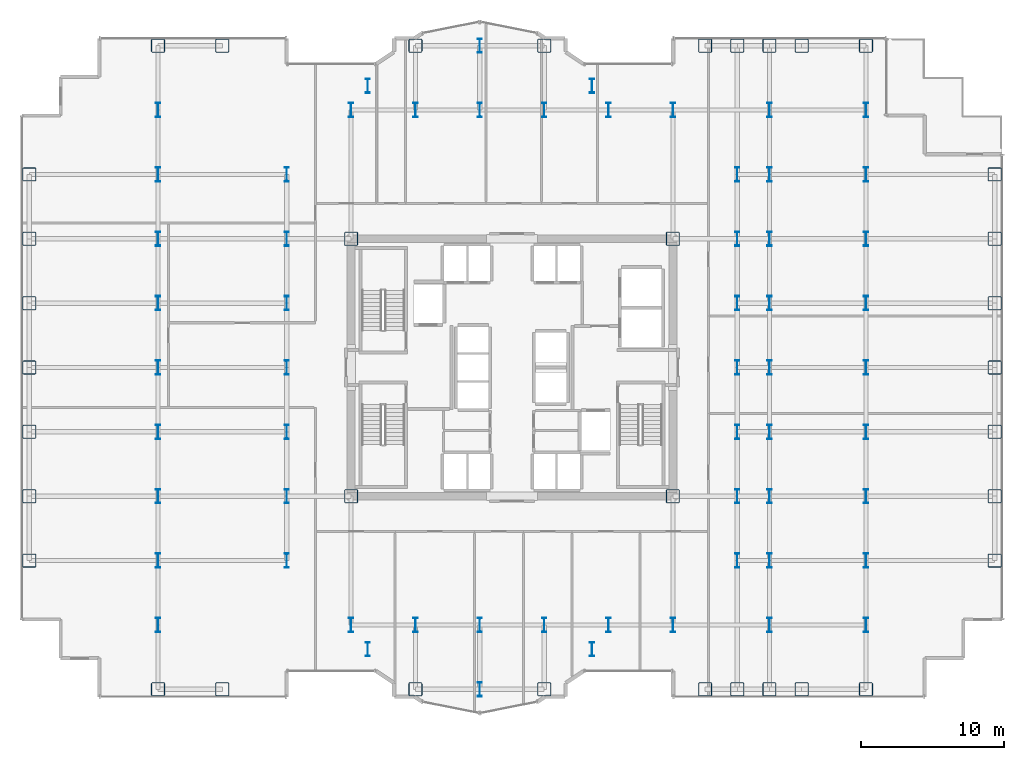
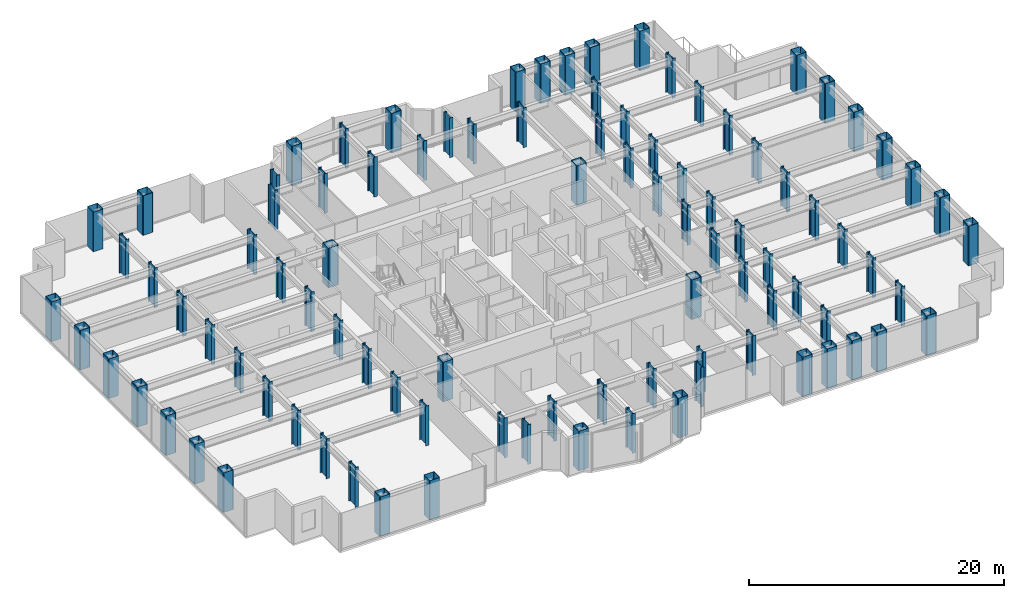
# One storey, part 1 of 26: 95 columns.
"""IFC4 building model written with IfcOpenShell, lengths in metres."""

from ifc_helpers import new_model, si_unit, direction, frame, origin, origin_2d, place, context, subcontext, project, spatial, hollow_rectangle, i_section, extrude, source, transform, mapped, material, material_profile, profile_set, type_object, element, save


model = new_model("IFC4")

# Units and contexts
model_context = context("Model", 3, precision=1e-05, world=origin(), true_north=direction((0.0, 1.0)))
body_context = subcontext(model_context, "Body", "Model", "MODEL_VIEW")
ifc_project = project(units=[si_unit("LENGTHUNIT", "METRE"), si_unit("AREAUNIT", "SQUARE_METRE"), si_unit("VOLUMEUNIT", "CUBIC_METRE"), si_unit("PLANEANGLEUNIT", "RADIAN"), si_unit("MASSUNIT", "GRAM", prefix="KILO")], contexts=[model_context])

# Site, building, storey
site_placement = place(None, origin())
site = spatial("IfcSite", under=ifc_project, at=site_placement, CompositionType="ELEMENT")
building_placement = place(site_placement, origin())
building = spatial("IfcBuilding", under=site, at=building_placement, Name="Nefas-Gora Pilgrimage Tower", CompositionType="ELEMENT")
storey_placement = place(building_placement, frame((0.0, 0.0, 106.0)))
storey = spatial("IfcBuildingStorey", under=building, at=storey_placement, Name="L25", CompositionType="ELEMENT", Elevation=106.0)

# Columns
ifc_material = material(Name="Steel S460", Category="steel")
ifc_material_profile_1 = material_profile(ifc_material, hollow_rectangle(XDim=0.949951171875, YDim=0.949951171875, WallThickness=0.044921875, InnerFilletRadius=0.044921875, OuterFilletRadius=0.090087890625, at=origin_2d()), Name="BOX 950x950x45")
ifc_profile_set_1 = profile_set([ifc_material_profile_1], Name="Steel S460")
column_type_1 = type_object("IfcColumnType", Name="COL-TUBE-950", PredefinedType="COLUMN", material=ifc_profile_set_1)
shared_shape_1 = source(origin(), body_context, "Body", "SweptSolid", [
    extrude(hollow_rectangle(XDim=0.949951171875, YDim=0.949951171875, WallThickness=0.044921875, InnerFilletRadius=0.044921875, OuterFilletRadius=0.090087890625, at=origin_2d()), origin(), (0.0, 0.0, 1.0), 3.800048828125),
])
for number, where, z_axis, x_axis, name in (
    (1, (-33.75, -13.5, 0.0), (0.0, 0.0, 1.0), (1.0, 0.0, 0.0), "L25 Tower Column C-Z1.1"),
    (2, (-33.75, -9.0, 0.0), (0.0, 0.0, 1.0), (1.0, 0.0, 0.0), "L25 Tower Column C-Z1.2"),
    (3, (-33.75, -4.5, 0.0), (0.0, 0.0, 1.0), (1.0, 0.0, 0.0), "L25 Tower Column C-Z1.3"),
    (4, (-33.75, 0.0, 0.0), (0.0, 0.0, 1.0), (1.0, 0.0, 0.0), "L25 Tower Column C-Z1.4"),
    (5, (-33.75, 4.5, 0.0), (0.0, 0.0, 1.0), (1.0, 0.0, 0.0), "L25 Tower Column C-Z1.5"),
    (6, (-33.75, 9.0, 0.0), (0.0, 0.0, 1.0), (1.0, 0.0, 0.0), "L25 Tower Column C-Z1.6"),
    (7, (-33.75, 13.5, 0.0), (0.0, 0.0, 1.0), (1.0, 0.0, 0.0), "L25 Tower Column C-Z1.7"),
    (8, (-24.75, -22.5, 0.0), (0.0, 0.0, 1.0), (1.0, 0.0, 0.0), "L25 Tower Column C-Z1.8"),
    (9, (-24.75, 22.5, 0.0), (0.0, 0.0, 1.0), (1.0, 0.0, 0.0), "L25 Tower Column C-Z1.18"),
    (10, (-20.25, -22.5, 0.0), (0.0, 0.0, 1.0), (1.0, 0.0, 0.0), "L25 Tower Column C-Z1.19"),
    (11, (-20.25, 22.5, 0.0), (0.0, 0.0, 1.0), (1.0, 0.0, 0.0), "L25 Tower Column C-Z1.20"),
    (12, (-6.75, -22.5, 0.0), (0.0, 0.0, 1.0), (1.0, 0.0, 0.0), "L25 Tower Column C-Z1.34"),
    (13, (-6.75, 22.5, 0.0), (0.0, 0.0, 1.0), (1.0, 0.0, 0.0), "L25 Tower Column C-Z1.37"),
    (14, (2.25, -22.5, 0.0), (0.0, 0.0, 1.0), (1.0, 0.0, 0.0), "L25 Tower Column C-Z1.42"),
    (15, (2.25, 22.5, 0.0), (0.0, 0.0, 1.0), (1.0, 0.0, 0.0), "L25 Tower Column C-Z1.45"),
    (16, (13.5, -22.5, 0.0), (0.0, 0.0, 1.0), (1.0, 0.0, 0.0), "L25 Tower Column C-Z1.54"),
    (17, (13.5, 22.5, 0.0), (0.0, 0.0, 1.0), (1.0, 0.0, 0.0), "L25 Tower Column C-Z1.55"),
    (18, (15.75, -22.5, 0.0), (0.0, 0.0, 1.0), (1.0, 0.0, 0.0), "L25 Tower Column C-Z1.56"),
    (19, (15.75, 22.5, 0.0), (0.0, 0.0, 1.0), (1.0, 0.0, 0.0), "L25 Tower Column C-Z1.64"),
    (20, (18.0, -22.5, 0.0), (0.0, 0.0, 1.0), (1.0, 0.0, 0.0), "L25 Tower Column C-Z1.65"),
    (21, (18.0, 22.5, 0.0), (0.0, 0.0, 1.0), (1.0, 0.0, 0.0), "L25 Tower Column C-Z1.75"),
    (22, (20.25, -22.5, 0.0), (0.0, 0.0, 1.0), (1.0, 0.0, 0.0), "L25 Tower Column C-Z1.76"),
    (23, (20.25, 22.5, 0.0), (0.0, 0.0, 1.0), (1.0, 0.0, 0.0), "L25 Tower Column C-Z1.77"),
    (24, (24.75, -22.5, 0.0), (0.0, 0.0, 1.0), (1.0, 0.0, 0.0), "L25 Tower Column C-Z1.78"),
    (25, (24.75, 22.5, 0.0), (0.0, 0.0, 1.0), (1.0, 0.0, 0.0), "L25 Tower Column C-Z1.88"),
    (26, (33.75, -13.5, 0.0), (0.0, 0.0, 1.0), (1.0, 0.0, 0.0), "L25 Tower Column C-Z1.89"),
    (27, (33.75, -9.0, 0.0), (0.0, 0.0, 1.0), (1.0, 0.0, 0.0), "L25 Tower Column C-Z1.90"),
    (28, (33.75, -4.5, 0.0), (0.0, 0.0, 1.0), (1.0, 0.0, 0.0), "L25 Tower Column C-Z1.91"),
    (29, (33.75, 0.0, 0.0), (0.0, 0.0, 1.0), (1.0, 0.0, 0.0), "L25 Tower Column C-Z1.92"),
    (30, (33.75, 4.5, 0.0), (0.0, 0.0, 1.0), (1.0, 0.0, 0.0), "L25 Tower Column C-Z1.93"),
    (31, (33.75, 9.0, 0.0), (0.0, 0.0, 1.0), (1.0, 0.0, 0.0), "L25 Tower Column C-Z1.94"),
    (32, (33.75, 13.5, 0.0), (0.0, 0.0, 1.0), (1.0, 0.0, 0.0), "L25 Tower Column C-Z1.95"),
):
    element("IfcColumn", number, at=place(storey_placement, frame(where, z_axis=z_axis, x_axis=x_axis)), inside=storey, type_object=column_type_1, Name=name, PredefinedType="COLUMN", context=body_context, shape_type="MappedRepresentation", body=[
        mapped(shared_shape_1, transform((0.0, 0.0, 0.0), x_axis=(1.0, 0.0, 0.0), y_axis=(0.0, 1.0, 0.0), z_axis=(0.0, 0.0, 1.0), scale=1.0)),
    ])
ifc_material_profile_2 = material_profile(ifc_material, i_section(OverallWidth=0.302001953125, OverallDepth=1.008056640625, WebThickness=0.02099609375, FlangeThickness=0.0400390625, FilletRadius=0.030029296875, at=origin_2d()), Name="HEM 1000")
ifc_profile_set_2 = profile_set([ifc_material_profile_2], Name="Steel S460")
column_type_2 = type_object("IfcColumnType", Name="COL-WEB-HEM1000", PredefinedType="COLUMN", material=ifc_profile_set_2)
shared_shape_2 = source(origin(), body_context, "Body", "SweptSolid", [
    extrude(i_section(OverallWidth=0.302001953125, OverallDepth=1.008056640625, WebThickness=0.02099609375, FlangeThickness=0.0400390625, FilletRadius=0.030029296875, at=origin_2d()), origin(), (0.0, 0.0, 1.0), 3.800048828125),
])
for number, where, z_axis, x_axis, name in (
    (33, (-24.75, -18.0, 0.0), (0.0, 0.0, 1.0), (1.0, 0.0, 0.0), "L25 Tower Column CW-01.9"),
    (34, (-24.75, -13.5, 0.0), (0.0, 0.0, 1.0), (1.0, 0.0, 0.0), "L25 Tower Column CW-01.10"),
    (35, (-24.75, -9.0, 0.0), (0.0, 0.0, 1.0), (1.0, 0.0, 0.0), "L25 Tower Column CW-01.11"),
    (36, (-24.75, -4.5, 0.0), (0.0, 0.0, 1.0), (1.0, 0.0, 0.0), "L25 Tower Column CW-01.12"),
    (37, (-24.75, 0.0, 0.0), (0.0, 0.0, 1.0), (1.0, 0.0, 0.0), "L25 Tower Column CW-01.13"),
    (38, (-24.75, 4.5, 0.0), (0.0, 0.0, 1.0), (1.0, 0.0, 0.0), "L25 Tower Column CW-01.14"),
    (39, (-24.75, 9.0, 0.0), (0.0, 0.0, 1.0), (1.0, 0.0, 0.0), "L25 Tower Column CW-01.15"),
    (40, (-24.75, 13.5, 0.0), (0.0, 0.0, 1.0), (1.0, 0.0, 0.0), "L25 Tower Column CW-01.16"),
    (41, (-24.75, 18.0, 0.0), (0.0, 0.0, 1.0), (1.0, 0.0, 0.0), "L25 Tower Column CW-01.17"),
    (42, (-15.75, -13.5, 0.0), (0.0, 0.0, 1.0), (1.0, 0.0, 0.0), "L25 Tower Column CW-01.21"),
    (43, (-15.75, -9.0, 0.0), (0.0, 0.0, 1.0), (1.0, 0.0, 0.0), "L25 Tower Column CW-01.22"),
    (44, (-15.75, -4.5, 0.0), (0.0, 0.0, 1.0), (1.0, 0.0, 0.0), "L25 Tower Column CW-01.23"),
    (45, (-15.75, 0.0, 0.0), (0.0, 0.0, 1.0), (1.0, 0.0, 0.0), "L25 Tower Column CW-01.24"),
    (46, (-15.75, 4.5, 0.0), (0.0, 0.0, 1.0), (1.0, 0.0, 0.0), "L25 Tower Column CW-01.25"),
    (47, (-15.75, 9.0, 0.0), (0.0, 0.0, 1.0), (1.0, 0.0, 0.0), "L25 Tower Column CW-01.26"),
    (48, (-15.75, 13.5, 0.0), (0.0, 0.0, 1.0), (1.0, 0.0, 0.0), "L25 Tower Column CW-01.27"),
    (49, (-11.25, -18.0, 0.0), (0.0, 0.0, 1.0), (1.0, 0.0, 0.0), "L25 Tower Column CW-01.28"),
    (50, (-11.25, 18.0, 0.0), (0.0, 0.0, 1.0), (1.0, 0.0, 0.0), "L25 Tower Column CW-01.31"),
    (51, (-10.091064453125, -19.696044921875, 0.0), (0.0, 0.0, 1.0), (1.0, 0.0, 0.0), "L25 Tower Column CW-01.32"),
    (52, (-10.091064453125, 19.696044921875, 0.0), (0.0, 0.0, 1.0), (1.0, 0.0, 0.0), "L25 Tower Column CW-01.33"),
    (53, (-6.75, -18.0, 0.0), (0.0, 0.0, 1.0), (1.0, 0.0, 0.0), "L25 Tower Column CW-01.35"),
    (54, (-6.75, 18.0, 0.0), (0.0, 0.0, 1.0), (1.0, 0.0, 0.0), "L25 Tower Column CW-01.36"),
    (55, (-2.25, -22.5, 0.0), (0.0, 0.0, 1.0), (1.0, 0.0, 0.0), "L25 Tower Column CW-01.38"),
    (56, (-2.25, -18.0, 0.0), (0.0, 0.0, 1.0), (1.0, 0.0, 0.0), "L25 Tower Column CW-01.39"),
    (57, (-2.25, 18.0, 0.0), (0.0, 0.0, 1.0), (1.0, 0.0, 0.0), "L25 Tower Column CW-01.40"),
    (58, (-2.25, 22.5, 0.0), (0.0, 0.0, 1.0), (1.0, 0.0, 0.0), "L25 Tower Column CW-01.41"),
    (59, (2.25, -18.0, 0.0), (0.0, 0.0, 1.0), (1.0, 0.0, 0.0), "L25 Tower Column CW-01.43"),
    (60, (2.25, 18.0, 0.0), (0.0, 0.0, 1.0), (1.0, 0.0, 0.0), "L25 Tower Column CW-01.44"),
    (61, (5.591064453125, -19.696044921875, 0.0), (0.0, 0.0, 1.0), (1.0, 0.0, 0.0), "L25 Tower Column CW-01.46"),
    (62, (5.591064453125, 19.696044921875, 0.0), (0.0, 0.0, 1.0), (1.0, 0.0, 0.0), "L25 Tower Column CW-01.47"),
    (63, (6.75, -18.0, 0.0), (0.0, 0.0, 1.0), (1.0, 0.0, 0.0), "L25 Tower Column CW-01.48"),
    (64, (6.75, 18.0, 0.0), (0.0, 0.0, 1.0), (1.0, 0.0, 0.0), "L25 Tower Column CW-01.49"),
    (65, (11.25, -18.0, 0.0), (0.0, 0.0, 1.0), (1.0, 0.0, 0.0), "L25 Tower Column CW-01.50"),
    (66, (11.25, 18.0, 0.0), (0.0, 0.0, 1.0), (1.0, 0.0, 0.0), "L25 Tower Column CW-01.53"),
    (67, (15.75, -13.5, 0.0), (0.0, 0.0, 1.0), (1.0, 0.0, 0.0), "L25 Tower Column CW-01.57"),
    (68, (15.75, -9.0, 0.0), (0.0, 0.0, 1.0), (1.0, 0.0, 0.0), "L25 Tower Column CW-01.58"),
    (69, (15.75, -4.5, 0.0), (0.0, 0.0, 1.0), (1.0, 0.0, 0.0), "L25 Tower Column CW-01.59"),
    (70, (15.75, 0.0, 0.0), (0.0, 0.0, 1.0), (1.0, 0.0, 0.0), "L25 Tower Column CW-01.60"),
    (71, (15.75, 4.5, 0.0), (0.0, 0.0, 1.0), (1.0, 0.0, 0.0), "L25 Tower Column CW-01.61"),
    (72, (15.75, 9.0, 0.0), (0.0, 0.0, 1.0), (1.0, 0.0, 0.0), "L25 Tower Column CW-01.62"),
    (73, (15.75, 13.5, 0.0), (0.0, 0.0, 1.0), (1.0, 0.0, 0.0), "L25 Tower Column CW-01.63"),
    (74, (18.0, -18.0, 0.0), (0.0, 0.0, 1.0), (1.0, 0.0, 0.0), "L25 Tower Column CW-01.66"),
    (75, (18.0, -13.5, 0.0), (0.0, 0.0, 1.0), (1.0, 0.0, 0.0), "L25 Tower Column CW-01.67"),
    (76, (18.0, -9.0, 0.0), (0.0, 0.0, 1.0), (1.0, 0.0, 0.0), "L25 Tower Column CW-01.68"),
    (77, (18.0, -4.5, 0.0), (0.0, 0.0, 1.0), (1.0, 0.0, 0.0), "L25 Tower Column CW-01.69"),
    (78, (18.0, 0.0, 0.0), (0.0, 0.0, 1.0), (1.0, 0.0, 0.0), "L25 Tower Column CW-01.70"),
    (79, (18.0, 4.5, 0.0), (0.0, 0.0, 1.0), (1.0, 0.0, 0.0), "L25 Tower Column CW-01.71"),
    (80, (18.0, 9.0, 0.0), (0.0, 0.0, 1.0), (1.0, 0.0, 0.0), "L25 Tower Column CW-01.72"),
    (81, (18.0, 13.5, 0.0), (0.0, 0.0, 1.0), (1.0, 0.0, 0.0), "L25 Tower Column CW-01.73"),
    (82, (18.0, 18.0, 0.0), (0.0, 0.0, 1.0), (1.0, 0.0, 0.0), "L25 Tower Column CW-01.74"),
    (83, (24.75, -18.0, 0.0), (0.0, 0.0, 1.0), (1.0, 0.0, 0.0), "L25 Tower Column CW-01.79"),
    (84, (24.75, -13.5, 0.0), (0.0, 0.0, 1.0), (1.0, 0.0, 0.0), "L25 Tower Column CW-01.80"),
    (85, (24.75, -9.0, 0.0), (0.0, 0.0, 1.0), (1.0, 0.0, 0.0), "L25 Tower Column CW-01.81"),
    (86, (24.75, -4.5, 0.0), (0.0, 0.0, 1.0), (1.0, 0.0, 0.0), "L25 Tower Column CW-01.82"),
    (87, (24.75, 0.0, 0.0), (0.0, 0.0, 1.0), (1.0, 0.0, 0.0), "L25 Tower Column CW-01.83"),
    (88, (24.75, 4.5, 0.0), (0.0, 0.0, 1.0), (1.0, 0.0, 0.0), "L25 Tower Column CW-01.84"),
    (89, (24.75, 9.0, 0.0), (0.0, 0.0, 1.0), (1.0, 0.0, 0.0), "L25 Tower Column CW-01.85"),
    (90, (24.75, 13.5, 0.0), (0.0, 0.0, 1.0), (1.0, 0.0, 0.0), "L25 Tower Column CW-01.86"),
    (91, (24.75, 18.0, 0.0), (0.0, 0.0, 1.0), (1.0, 0.0, 0.0), "L25 Tower Column CW-01.87"),
):
    element("IfcColumn", number, at=place(storey_placement, frame(where, z_axis=z_axis, x_axis=x_axis)), inside=storey, type_object=column_type_2, Name=name, PredefinedType="COLUMN", context=body_context, shape_type="MappedRepresentation", body=[
        mapped(shared_shape_2, transform((0.0, 0.0, 0.0), x_axis=(1.0, 0.0, 0.0), y_axis=(0.0, 1.0, 0.0), z_axis=(0.0, 0.0, 1.0), scale=1.0)),
    ])
ifc_material_profile_3 = material_profile(ifc_material, hollow_rectangle(XDim=0.949951171875, YDim=0.949951171875, WallThickness=0.044921875, InnerFilletRadius=0.044921875, OuterFilletRadius=0.090087890625, at=origin_2d()), Name="BOX 950x950x45")
ifc_profile_set_3 = profile_set([ifc_material_profile_3], Name="Steel S460")
column_type_3 = type_object("IfcColumnType", Name="COL-CORE-950", PredefinedType="COLUMN", material=ifc_profile_set_3)
shared_shape_3 = source(origin(), body_context, "Body", "SweptSolid", [
    extrude(hollow_rectangle(XDim=0.949951171875, YDim=0.949951171875, WallThickness=0.044921875, InnerFilletRadius=0.044921875, OuterFilletRadius=0.090087890625, at=origin_2d()), origin(), (0.0, 0.0, 1.0), 3.800048828125),
])
for number, where, z_axis, x_axis, name in (
    (92, (-11.25, -9.0, 0.0), (0.0, 0.0, 1.0), (1.0, 0.0, 0.0), "L25 Tower Column CC-Z1.29"),
    (93, (-11.25, 9.0, 0.0), (0.0, 0.0, 1.0), (1.0, 0.0, 0.0), "L25 Tower Column CC-Z1.30"),
    (94, (11.25, -9.0, 0.0), (0.0, 0.0, 1.0), (1.0, 0.0, 0.0), "L25 Tower Column CC-Z1.51"),
    (95, (11.25, 9.0, 0.0), (0.0, 0.0, 1.0), (1.0, 0.0, 0.0), "L25 Tower Column CC-Z1.52"),
):
    element("IfcColumn", number, at=place(storey_placement, frame(where, z_axis=z_axis, x_axis=x_axis)), inside=storey, type_object=column_type_3, Name=name, PredefinedType="COLUMN", context=body_context, shape_type="MappedRepresentation", body=[
        mapped(shared_shape_3, transform((0.0, 0.0, 0.0), x_axis=(1.0, 0.0, 0.0), y_axis=(0.0, 1.0, 0.0), z_axis=(0.0, 0.0, 1.0), scale=1.0)),
    ])

save(model, "model.ifc")
